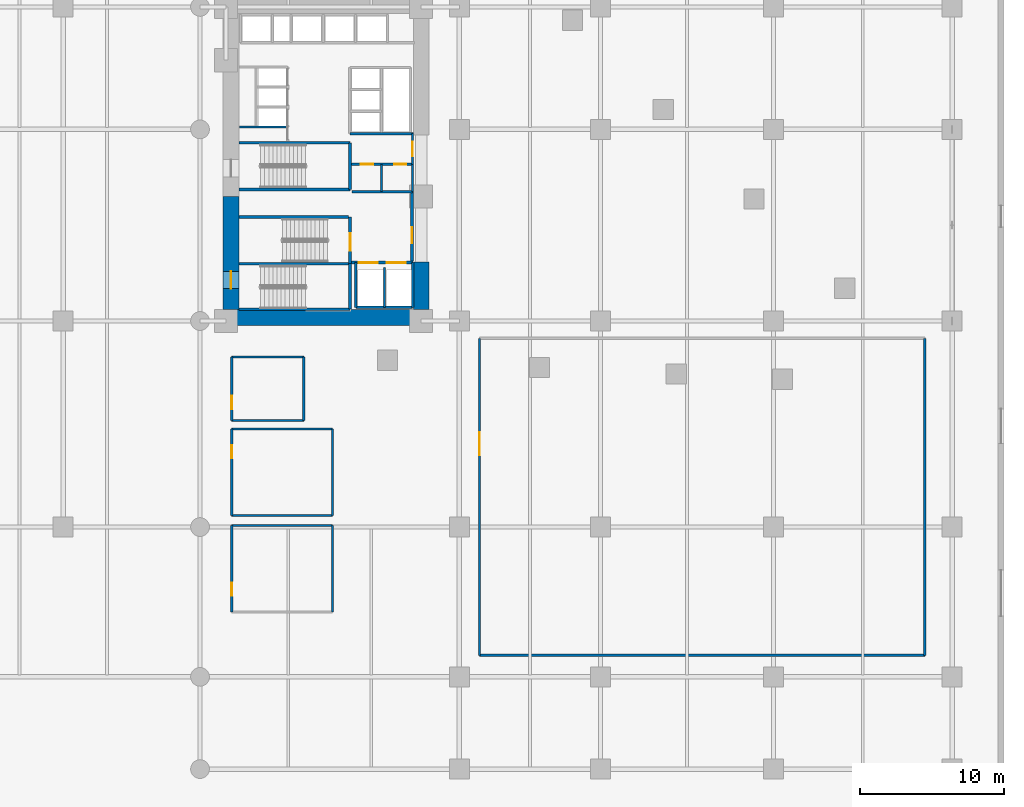
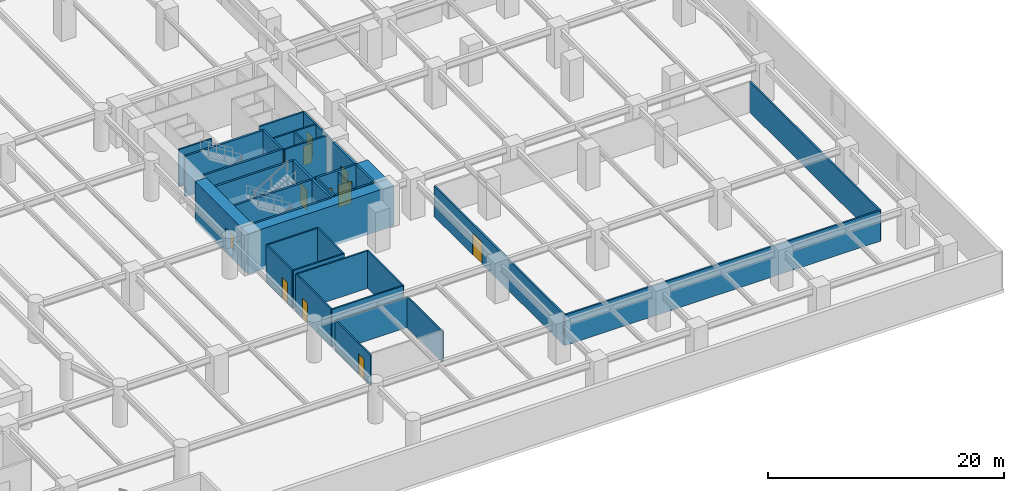
# One storey, part 8 of 25: 38 walls, 12 doors, 12 openings.
"""IFC4 building model written with IfcOpenShell, lengths in metres."""

from ifc_helpers import new_model, si_unit, direction, frame, frame_2d, origin, place, context, subcontext, project, spatial, rectangle, extrude, material, layer, layer_set, type_object, element, fill, save


model = new_model("IFC4")

# Units and contexts
model_context = context("Model", 3, precision=1e-05, world=origin(), true_north=direction((0.0, 1.0)))
body_context = subcontext(model_context, "Body", "Model", "MODEL_VIEW")
ifc_project = project(units=[si_unit("LENGTHUNIT", "METRE"), si_unit("AREAUNIT", "SQUARE_METRE"), si_unit("VOLUMEUNIT", "CUBIC_METRE"), si_unit("PLANEANGLEUNIT", "RADIAN"), si_unit("MASSUNIT", "GRAM", prefix="KILO")], contexts=[model_context])

# Site, building, storey
site_placement = place(None, origin())
site = spatial("IfcSite", under=ifc_project, at=site_placement, CompositionType="ELEMENT")
building_placement = place(site_placement, origin())
building = spatial("IfcBuilding", under=site, at=building_placement, Name="Narakoshi Arena Tower", CompositionType="ELEMENT")
storey_placement = place(building_placement, frame((0.0, 0.0, 9.0)))
storey = spatial("IfcBuildingStorey", under=building, at=storey_placement, Name="L02", CompositionType="ELEMENT", Elevation=9.0)

# Wall, opening, door
ifc_material_1 = material(Name="Concrete C60/75", Category="concrete")
ifc_layer_1 = layer(ifc_material_1, 1.10009765625)
ifc_layer_set_1 = layer_set([ifc_layer_1], Name="Concrete C60/75")
wall_type_1 = type_object("IfcWallType", Name="WL-CORE-1100", PredefinedType="SHEAR", material=ifc_layer_set_1)
wall_1_placement = place(storey_placement, frame((72.35009765625, 35.5, -0.320068359375), z_axis=(0.0, 0.0, 1.0), x_axis=(0.0, 1.0, 0.0)))
wall_1 = element("IfcWall", 1, at=wall_1_placement, inside=storey, type_object=wall_type_1, Name="L02 Central Core Shear Wall CW-APX-W", PredefinedType="SHEAR", context=body_context, shape_type="SweptSolid", body=[
    extrude(rectangle(XDim=7.85009765625, YDim=1.10009765625, at=frame_2d((3.925048828125, 0.0))), origin(), (0.0, 0.0, 1.0), 4.199951171875),
])
opening_1_placement = place(wall_1_placement, frame((1.449951171875, 0.0, 0.320068359375)))
opening_1 = element("IfcOpeningElement", 2, at=opening_1_placement, cuts=wall_1, Name="Opening D-03", PredefinedType="OPENING", context=body_context, shape_type="SweptSolid", body=[
    extrude(rectangle(XDim=1.199951171875, YDim=2.199951171875, at=frame_2d((0.60009765625, 1.10009765625))), frame((0.0, 0.56005859375, 0.0), z_axis=(0.0, -1.0, 0.0), x_axis=(1.0, 0.0, 0.0)), (0.0, 0.0, 1.0), 1.1201171875),
])
ifc_material_2 = material(Name="Painted galvanized steel", Category="steel")
door_type_1 = type_object("IfcDoorType", Name="DR-STR-1200", OperationType="NOTDEFINED", PredefinedType="USERDEFINED", material=ifc_material_2)
door_1_placement = place(opening_1_placement, frame((1.199951171875, 0.0, 0.0), z_axis=(0.0, 0.0, 1.0), x_axis=(-1.0, 0.0, 0.0)))
door_1 = element("IfcDoor", 3, at=door_1_placement, inside=storey, type_object=door_type_1, Name="DR-L02-001", ObjectType="EXITDOOR", OperationType="SINGLE_SWING_LEFT", OverallHeight=2.199951171875, OverallWidth=1.199951171875, PredefinedType="USERDEFINED", context=body_context, shape_type="SweptSolid", body=[
    extrude(rectangle(XDim=1.199951171875, YDim=2.199951171875, at=frame_2d((0.60009765625, 1.10009765625))), frame((0.0, 0.02490234375, 0.0), z_axis=(0.0, -1.0, 0.0), x_axis=(1.0, 0.0, 0.0)), (0.0, 0.0, 1.0), 0.050048828125),
])
fill(opening_1, door_1)

# Walls
wall_2_placement = place(storey_placement, frame((71.800048828125, 34.949951171875, -0.320068359375), z_axis=(0.0, 0.0, 1.0), x_axis=(1.0, 0.0, 0.0)))
element("IfcWall", 4, at=wall_2_placement, inside=storey, type_object=wall_type_1, Name="L02 Central Core Shear Wall CW-APX-S", PredefinedType="SHEAR", context=body_context, shape_type="SweptSolid", body=[
    extrude(rectangle(XDim=14.300048828125, YDim=1.10009765625, at=frame_2d((7.14990234375, 0.0))), origin(), (0.0, 0.0, 1.0), 4.199951171875),
])
wall_3_placement = place(storey_placement, frame((85.550048828125, 35.5, -0.320068359375), z_axis=(0.0, 0.0, 1.0), x_axis=(0.0, 1.0, 0.0)))
element("IfcWall", 5, at=wall_3_placement, inside=storey, type_object=wall_type_1, Name="L02 Central Core Shear Wall CW-APX-E", PredefinedType="SHEAR", context=body_context, shape_type="SweptSolid", body=[
    extrude(rectangle(XDim=3.300048828125, YDim=1.10009765625, at=frame_2d((1.64990234375, 0.0))), origin(), (0.0, 0.0, 1.0), 4.199951171875),
])

# Wall, opening, door
ifc_material_3 = material(Name="Gypsum plasterboard fire-rated partition")
ifc_layer_2 = layer(ifc_material_3, 0.1650390625)
ifc_layer_set_2 = layer_set([ifc_layer_2], Name="Gypsum plasterboard fire-rated partition")
wall_type_2 = type_object("IfcWallType", Name="WL-CORR-165", PredefinedType="PARTITIONING", material=ifc_layer_set_2)
wall_4_placement = place(storey_placement, frame((84.949951171875, 45.580078125, 0.0), z_axis=(0.0, 0.0, 1.0), x_axis=(0.0, 1.0, 0.0)))
wall_4 = element("IfcWall", 6, at=wall_4_placement, inside=storey, type_object=wall_type_2, Name="L02 Core Wall CPAS-E", PredefinedType="PARTITIONING", context=body_context, shape_type="SweptSolid", body=[
    extrude(rectangle(XDim=2.119873046875, YDim=0.1650390625, at=frame_2d((1.06005859375, 0.0))), origin(), (0.0, 0.0, 1.0), 3.8798828125),
])
opening_2_placement = place(wall_4_placement, frame((0.56005859375, 0.0, 0.0)))
opening_2 = element("IfcOpeningElement", 7, at=opening_2_placement, cuts=wall_4, Name="Opening D-06", PredefinedType="OPENING", context=body_context, shape_type="SweptSolid", body=[
    extrude(rectangle(XDim=1.0, YDim=2.199951171875, at=frame_2d((0.5, 1.10009765625))), frame((0.0, 0.092529296875, 0.0), z_axis=(0.0, -1.0, 0.0), x_axis=(1.0, 0.0, 0.0)), (0.0, 0.0, 1.0), 0.18505859375),
])
ifc_material_4 = material(Name="Stained oak solid-core timber", Category="wood")
door_type_2 = type_object("IfcDoorType", Name="DR-OFF-1000", OperationType="NOTDEFINED", PredefinedType="DOOR", material=ifc_material_4)
door_2_placement = place(opening_2_placement, frame((1.0, 0.0, 0.0), z_axis=(0.0, 0.0, 1.0), x_axis=(-1.0, 0.0, 0.0)))
door_2 = element("IfcDoor", 8, at=door_2_placement, inside=storey, type_object=door_type_2, Name="DR-L02-007", OperationType="SINGLE_SWING_LEFT", OverallHeight=2.199951171875, OverallWidth=1.0, PredefinedType="DOOR", context=body_context, shape_type="SweptSolid", body=[
    extrude(rectangle(XDim=1.0, YDim=2.199951171875, at=frame_2d((0.5, 1.10009765625))), frame((0.0, 0.02490234375, 0.0), z_axis=(0.0, -1.0, 0.0), x_axis=(1.0, 0.0, 0.0)), (0.0, 0.0, 1.0), 0.050048828125),
])
fill(opening_2, door_2)

# Walls
wall_5_placement = place(storey_placement, frame((89.60009765625, 11.5, 0.0), z_axis=(0.0, 0.0, 1.0), x_axis=(1.0, 0.0, 0.0)))
element("IfcWall", 9, at=wall_5_placement, inside=storey, type_object=wall_type_2, Name="L02 Sponsors Banquet Dining Hall Wall S", PredefinedType="PARTITIONING", context=body_context, shape_type="SweptSolid", body=[
    extrude(rectangle(XDim=30.89990234375, YDim=0.1650390625, at=frame_2d((15.449951171875, 0.0))), origin(), (0.0, 0.0, 1.0), 3.1650390625),
])
wall_6_placement = place(storey_placement, frame((120.5, 11.5, 0.0), z_axis=(0.0, 0.0, 1.0), x_axis=(0.0, 1.0, 0.0)))
element("IfcWall", 10, at=wall_6_placement, inside=storey, type_object=wall_type_2, Name="L02 Sponsors Banquet Dining Hall Wall E", PredefinedType="PARTITIONING", context=body_context, shape_type="SweptSolid", body=[
    extrude(rectangle(XDim=22.0, YDim=0.1650390625, at=frame_2d((11.0, 0.0))), origin(), (0.0, 0.0, 1.0), 3.1650390625),
])

# Wall, opening, door
wall_7_placement = place(storey_placement, frame((89.60009765625, 33.5, 0.0), z_axis=(0.0, 0.0, 1.0), x_axis=(0.0, -1.0, 0.0)))
wall_7 = element("IfcWall", 11, at=wall_7_placement, inside=storey, type_object=wall_type_2, Name="L02 Sponsors Banquet Dining Hall Wall W", PredefinedType="PARTITIONING", context=body_context, shape_type="SweptSolid", body=[
    extrude(rectangle(XDim=22.0, YDim=0.1650390625, at=frame_2d((11.0, 0.0))), origin(), (0.0, 0.0, 1.0), 3.1650390625),
])
opening_3_placement = place(wall_7_placement, frame((6.528076171875, 0.0, 0.0)))
opening_3 = element("IfcOpeningElement", 12, at=opening_3_placement, cuts=wall_7, Name="Opening D-05", PredefinedType="OPENING", context=body_context, shape_type="SweptSolid", body=[
    extrude(rectangle(XDim=1.60009765625, YDim=2.300048828125, at=frame_2d((0.800048828125, 1.14990234375))), frame((0.0, 0.092529296875, 0.0), z_axis=(0.0, -1.0, 0.0), x_axis=(1.0, 0.0, 0.0)), (0.0, 0.0, 1.0), 0.18505859375),
])
door_type_3 = type_object("IfcDoorType", Name="DR-STE-1600", OperationType="DOUBLE_DOOR_SINGLE_SWING", PredefinedType="DOOR", material=ifc_material_4)
door_3_placement = place(opening_3_placement, frame((1.60009765625, 0.0, 0.0), z_axis=(0.0, 0.0, 1.0), x_axis=(-1.0, 0.0, 0.0)))
door_3 = element("IfcDoor", 13, at=door_3_placement, inside=storey, type_object=door_type_3, Name="DR-L02-028", OperationType="DOUBLE_DOOR_SINGLE_SWING", OverallHeight=2.300048828125, OverallWidth=1.60009765625, PredefinedType="DOOR", context=body_context, shape_type="SweptSolid", body=[
    extrude(rectangle(XDim=1.60009765625, YDim=2.300048828125, at=frame_2d((0.800048828125, 1.14990234375))), frame((0.0, 0.02490234375, 0.0), z_axis=(0.0, -1.0, 0.0), x_axis=(1.0, 0.0, 0.0)), (0.0, 0.0, 1.0), 0.050048828125),
])
fill(opening_3, door_3)

# Walls
ifc_material_5 = material(Name="Concrete C40/50", Category="concrete")
ifc_layer_3 = layer(ifc_material_5, 0.280029296875)
ifc_layer_set_3 = layer_set([ifc_layer_3], Name="Concrete C40/50")
wall_type_3 = type_object("IfcWallType", Name="WL-RISER-280", PredefinedType="PLUMBINGWALL", material=ifc_layer_set_3)
wall_8_placement = place(storey_placement, frame((83.0, 35.64990234375, 0.0), z_axis=(0.0, 0.0, 1.0), x_axis=(0.0, 1.0, 0.0)))
element("IfcWall", 14, at=wall_8_placement, inside=storey, type_object=wall_type_3, Name="L02 Core Wall FF-DIV", PredefinedType="PLUMBINGWALL", context=body_context, shape_type="SweptSolid", body=[
    extrude(rectangle(XDim=2.75, YDim=0.159912109375, at=frame_2d((1.375, 0.0))), origin(), (0.0, 0.0, 1.0), 3.8798828125),
])
wall_9_placement = place(storey_placement, frame((84.949951171875, 43.679931640625, 0.0), z_axis=(0.0, 0.0, 1.0), x_axis=(0.0, 1.0, 0.0)))
element("IfcWall", 15, at=wall_9_placement, inside=storey, type_object=wall_type_3, Name="L02 Core Wall RSR-E", PredefinedType="PLUMBINGWALL", context=body_context, shape_type="SweptSolid", body=[
    extrude(rectangle(XDim=1.900146484375, YDim=0.1650390625, at=frame_2d((0.9501953125, 0.0))), origin(), (0.0, 0.0, 1.0), 3.8798828125),
])

# Wall, openings, doors
wall_10_placement = place(storey_placement, frame((80.719970703125, 45.580078125, 0.0), z_axis=(0.0, 0.0, 1.0), x_axis=(1.0, 0.0, 0.0)))
wall_10 = element("IfcWall", 16, at=wall_10_placement, inside=storey, type_object=wall_type_3, Name="L02 Core Wall RSR-N", PredefinedType="PLUMBINGWALL", context=body_context, shape_type="SweptSolid", body=[
    extrude(rectangle(XDim=4.22998046875, YDim=0.159912109375, at=frame_2d((2.114990234375, 0.0))), origin(), (0.0, 0.0, 1.0), 3.8798828125),
])
opening_4_placement = place(wall_10_placement, frame((0.64990234375, 0.0, 0.0)))
opening_4 = element("IfcOpeningElement", 17, at=opening_4_placement, cuts=wall_10, Name="Opening D-10", PredefinedType="OPENING", context=body_context, shape_type="SweptSolid", body=[
    extrude(rectangle(XDim=0.85009765625, YDim=2.050048828125, at=frame_2d((0.425048828125, 1.02490234375))), frame((0.0, 0.08984375, 0.0), z_axis=(0.0, -1.0, 0.0), x_axis=(1.0, 0.0, 0.0)), (0.0, 0.0, 1.0), 0.179931640625),
])
opening_5_placement = place(wall_10_placement, frame((2.949951171875, 0.0, 0.0)))
opening_5 = element("IfcOpeningElement", 18, at=opening_5_placement, cuts=wall_10, Name="Opening D-10", PredefinedType="OPENING", context=body_context, shape_type="SweptSolid", body=[
    extrude(rectangle(XDim=0.85009765625, YDim=2.050048828125, at=frame_2d((0.425048828125, 1.02490234375))), frame((0.0, 0.08984375, 0.0), z_axis=(0.0, -1.0, 0.0), x_axis=(1.0, 0.0, 0.0)), (0.0, 0.0, 1.0), 0.179931640625),
])
door_type_4 = type_object("IfcDoorType", Name="DR-RSR-850", OperationType="NOTDEFINED", PredefinedType="DOOR", material=ifc_material_2)
door_4_placement = place(opening_4_placement, frame((0.85009765625, 0.0, 0.0), z_axis=(0.0, 0.0, 1.0), x_axis=(-1.0, 0.0, 0.0)))
door_4 = element("IfcDoor", 19, at=door_4_placement, inside=storey, type_object=door_type_4, Name="DR-L02-008", OperationType="SINGLE_SWING_LEFT", OverallHeight=2.050048828125, OverallWidth=0.85009765625, PredefinedType="DOOR", context=body_context, shape_type="SweptSolid", body=[
    extrude(rectangle(XDim=0.85009765625, YDim=2.050048828125, at=frame_2d((0.425048828125, 1.02490234375))), frame((0.0, 0.02490234375, 0.0), z_axis=(0.0, -1.0, 0.0), x_axis=(1.0, 0.0, 0.0)), (0.0, 0.0, 1.0), 0.050048828125),
])
fill(opening_4, door_4)
door_5_placement = place(opening_5_placement, frame((0.85009765625, 0.0, 0.0), z_axis=(0.0, 0.0, 1.0), x_axis=(-1.0, 0.0, 0.0)))
door_5 = element("IfcDoor", 20, at=door_5_placement, inside=storey, type_object=door_type_4, Name="DR-L02-009", OperationType="SINGLE_SWING_RIGHT", OverallHeight=2.050048828125, OverallWidth=0.85009765625, PredefinedType="DOOR", context=body_context, shape_type="SweptSolid", body=[
    extrude(rectangle(XDim=0.85009765625, YDim=2.050048828125, at=frame_2d((0.425048828125, 1.02490234375))), frame((0.0, 0.02490234375, 0.0), z_axis=(0.0, -1.0, 0.0), x_axis=(1.0, 0.0, 0.0)), (0.0, 0.0, 1.0), 0.050048828125),
])
fill(opening_5, door_5)

# Walls
wall_11_placement = place(storey_placement, frame((80.760009765625, 43.679931640625, 0.0), z_axis=(0.0, 0.0, 1.0), x_axis=(1.0, 0.0, 0.0)))
element("IfcWall", 21, at=wall_11_placement, inside=storey, type_object=wall_type_3, Name="L02 Core Wall RSR-S", PredefinedType="PLUMBINGWALL", context=body_context, shape_type="SweptSolid", body=[
    extrude(rectangle(XDim=4.18994140625, YDim=0.159912109375, at=frame_2d((2.094970703125, 0.0))), origin(), (0.0, 0.0, 1.0), 3.8798828125),
])
wall_12_placement = place(storey_placement, frame((82.800048828125, 43.679931640625, 0.0), z_axis=(0.0, 0.0, 1.0), x_axis=(0.0, 1.0, 0.0)))
element("IfcWall", 22, at=wall_12_placement, inside=storey, type_object=wall_type_3, Name="L02 Core Wall RSR-M", PredefinedType="PLUMBINGWALL", context=body_context, shape_type="SweptSolid", body=[
    extrude(rectangle(XDim=1.900146484375, YDim=0.159912109375, at=frame_2d((0.9501953125, 0.0))), origin(), (0.0, 0.0, 1.0), 3.8798828125),
])
wall_13_placement = place(storey_placement, frame((72.949951171875, 48.159912109375, 0.0), z_axis=(0.0, 0.0, 1.0), x_axis=(1.0, 0.0, 0.0)))
element("IfcWall", 23, at=wall_13_placement, inside=storey, type_object=wall_type_3, Name="L02 Core Wall LR-S0", PredefinedType="PLUMBINGWALL", context=body_context, shape_type="SweptSolid", body=[
    extrude(rectangle(XDim=3.239990234375, YDim=0.139892578125, at=frame_2d((1.6201171875, 0.0))), origin(), (0.0, 0.0, 1.0), 3.8798828125),
])
ifc_material_6 = material(Name="Concrete C50/60", Category="concrete")
ifc_layer_4 = layer(ifc_material_6, 0.35009765625)
ifc_layer_set_4 = layer_set([ifc_layer_4], Name="Concrete C50/60")
wall_type_4 = type_object("IfcWallType", Name="WL-SHAFT-350", PredefinedType="SOLIDWALL", material=ifc_layer_set_4)
for number, where, z_axis, x_axis, name in (
    (24, (72.919921875, 35.52001953125, -0.320068359375), (0.0, 0.0, 1.0), (1.0, 0.0, 0.0), "L02 Core Wall ST1-S"),
    (25, (72.919921875, 38.675048828125, -0.320068359375), (0.0, 0.0, 1.0), (1.0, 0.0, 0.0), "L02 Core Wall ST12-DIV"),
):
    element("IfcWall", number, at=place(storey_placement, frame(where, z_axis=z_axis, x_axis=x_axis)), inside=storey, type_object=wall_type_4, Name=name, PredefinedType="SOLIDWALL", context=body_context, shape_type="SweptSolid", body=[
        extrude(rectangle(XDim=7.7001953125, YDim=0.199951171875, at=frame_2d((3.85009765625, 0.0))), origin(), (0.0, 0.0, 1.0), 4.199951171875),
    ])
wall_14_placement = place(storey_placement, frame((80.6201171875, 35.52001953125, -0.320068359375), z_axis=(0.0, 0.0, 1.0), x_axis=(0.0, 1.0, 0.0)))
element("IfcWall", 26, at=wall_14_placement, inside=storey, type_object=wall_type_4, Name="L02 Core Wall ST1-E", PredefinedType="SOLIDWALL", context=body_context, shape_type="SweptSolid", body=[
    extrude(rectangle(XDim=3.155029296875, YDim=0.199951171875, at=frame_2d((1.57763671875, 0.0))), origin(), (0.0, 0.0, 1.0), 4.199951171875),
])

# Wall, opening, door
wall_15_placement = place(storey_placement, frame((80.6201171875, 38.675048828125, -0.320068359375), z_axis=(0.0, 0.0, 1.0), x_axis=(0.0, 1.0, 0.0)))
wall_15 = element("IfcWall", 27, at=wall_15_placement, inside=storey, type_object=wall_type_4, Name="L02 Core Wall ST2-E", PredefinedType="SOLIDWALL", context=body_context, shape_type="SweptSolid", body=[
    extrude(rectangle(XDim=3.244873046875, YDim=0.199951171875, at=frame_2d((1.62255859375, 0.0))), origin(), (0.0, 0.0, 1.0), 4.199951171875),
])
opening_6_placement = place(wall_15_placement, frame((0.89990234375, 0.0, 0.320068359375)))
opening_6 = element("IfcOpeningElement", 28, at=opening_6_placement, cuts=wall_15, Name="Opening D-03", PredefinedType="OPENING", context=body_context, shape_type="SweptSolid", body=[
    extrude(rectangle(XDim=1.199951171875, YDim=2.199951171875, at=frame_2d((0.60009765625, 1.10009765625))), frame((0.0, 0.10986328125, 0.0), z_axis=(0.0, -1.0, 0.0), x_axis=(1.0, 0.0, 0.0)), (0.0, 0.0, 1.0), 0.219970703125),
])
door_6_placement = place(opening_6_placement, origin())
door_6 = element("IfcDoor", 29, at=door_6_placement, inside=storey, type_object=door_type_1, Name="DR-L02-002", ObjectType="EXITDOOR", OperationType="SINGLE_SWING_RIGHT", OverallHeight=2.199951171875, OverallWidth=1.199951171875, PredefinedType="USERDEFINED", context=body_context, shape_type="SweptSolid", body=[
    extrude(rectangle(XDim=1.199951171875, YDim=2.199951171875, at=frame_2d((0.60009765625, 1.10009765625))), frame((0.0, 0.02490234375, 0.0), z_axis=(0.0, -1.0, 0.0), x_axis=(1.0, 0.0, 0.0)), (0.0, 0.0, 1.0), 0.050048828125),
])
fill(opening_6, door_6)

# Wall, openings, doors
wall_16_placement = place(storey_placement, frame((80.719970703125, 38.75, 0.0), z_axis=(0.0, 0.0, 1.0), x_axis=(1.0, 0.0, 0.0)))
wall_16 = element("IfcWall", 30, at=wall_16_placement, inside=storey, type_object=wall_type_4, Name="L02 Core Wall FF-N", PredefinedType="SOLIDWALL", context=body_context, shape_type="SweptSolid", body=[
    extrude(rectangle(XDim=4.260009765625, YDim=0.199951171875, at=frame_2d((2.1298828125, 0.0))), origin(), (0.0, 0.0, 1.0), 3.8798828125),
])
opening_7_placement = place(wall_16_placement, frame((0.5, 0.0, 0.0)))
opening_7 = element("IfcOpeningElement", 31, at=opening_7_placement, cuts=wall_16, Name="Opening LD-02", PredefinedType="OPENING", context=body_context, shape_type="SweptSolid", body=[
    extrude(rectangle(XDim=1.300048828125, YDim=2.300048828125, at=frame_2d((0.64990234375, 1.14990234375))), frame((0.0, 0.10986328125, 0.0), z_axis=(0.0, -1.0, 0.0), x_axis=(1.0, 0.0, 0.0)), (0.0, 0.0, 1.0), 0.219970703125),
])
opening_8_placement = place(wall_16_placement, frame((2.449951171875, 0.0, 0.0)))
opening_8 = element("IfcOpeningElement", 32, at=opening_8_placement, cuts=wall_16, Name="Opening LD-02", PredefinedType="OPENING", context=body_context, shape_type="SweptSolid", body=[
    extrude(rectangle(XDim=1.300048828125, YDim=2.300048828125, at=frame_2d((0.64990234375, 1.14990234375))), frame((0.0, 0.10986328125, 0.0), z_axis=(0.0, -1.0, 0.0), x_axis=(1.0, 0.0, 0.0)), (0.0, 0.0, 1.0), 0.219970703125),
])
ifc_material_7 = material(Name="Brushed bronze stainless steel", Category="steel")
door_type_5 = type_object("IfcDoorType", Name="DR-LFT-1300", OperationType="DOUBLE_DOOR_SLIDING", PredefinedType="DOOR", material=ifc_material_7)
door_7_placement = place(opening_7_placement, origin())
door_7 = element("IfcDoor", 33, at=door_7_placement, inside=storey, type_object=door_type_5, Name="DR-L02-003", OperationType="DOUBLE_DOOR_SLIDING", OverallHeight=2.300048828125, OverallWidth=1.300048828125, PredefinedType="DOOR", context=body_context, shape_type="SweptSolid", body=[
    extrude(rectangle(XDim=1.300048828125, YDim=2.300048828125, at=frame_2d((0.64990234375, 1.14990234375))), frame((0.0, 0.02490234375, 0.0), z_axis=(0.0, -1.0, 0.0), x_axis=(1.0, 0.0, 0.0)), (0.0, 0.0, 1.0), 0.050048828125),
])
fill(opening_7, door_7)
door_8_placement = place(opening_8_placement, origin())
door_8 = element("IfcDoor", 34, at=door_8_placement, inside=storey, type_object=door_type_5, Name="DR-L02-004", OperationType="DOUBLE_DOOR_SLIDING", OverallHeight=2.300048828125, OverallWidth=1.300048828125, PredefinedType="DOOR", context=body_context, shape_type="SweptSolid", body=[
    extrude(rectangle(XDim=1.300048828125, YDim=2.300048828125, at=frame_2d((0.64990234375, 1.14990234375))), frame((0.0, 0.02490234375, 0.0), z_axis=(0.0, -1.0, 0.0), x_axis=(1.0, 0.0, 0.0)), (0.0, 0.0, 1.0), 0.050048828125),
])
fill(opening_8, door_8)

# Walls
for number, where, z_axis, x_axis, name in (
    (35, (84.949951171875, 35.64990234375, 0.0), (0.0, 0.0, 1.0), (0.0, 1.0, 0.0), "L02 Core Wall FF-E"),
    (36, (81.02001953125, 35.64990234375, 0.0), (0.0, 0.0, 1.0), (0.0, 1.0, 0.0), "L02 Core Wall FF-W"),
):
    element("IfcWall", number, at=place(storey_placement, frame(where, z_axis=z_axis, x_axis=x_axis)), inside=storey, type_object=wall_type_4, Name=name, PredefinedType="SOLIDWALL", context=body_context, shape_type="SweptSolid", body=[
        extrude(rectangle(XDim=3.10009765625, YDim=0.179931640625, at=frame_2d((1.550048828125, 0.0))), origin(), (0.0, 0.0, 1.0), 3.8798828125),
    ])
wall_17_placement = place(storey_placement, frame((81.02001953125, 35.64990234375, 0.0), z_axis=(0.0, 0.0, 1.0), x_axis=(1.0, 0.0, 0.0)))
element("IfcWall", 37, at=wall_17_placement, inside=storey, type_object=wall_type_4, Name="L02 Core Wall FF-S", PredefinedType="SOLIDWALL", context=body_context, shape_type="SweptSolid", body=[
    extrude(rectangle(XDim=3.929931640625, YDim=0.179931640625, at=frame_2d((1.96484375, 0.0))), origin(), (0.0, 0.0, 1.0), 3.8798828125),
])

# Wall, opening, door
wall_18_placement = place(storey_placement, frame((84.919921875, 38.85009765625, 0.0), z_axis=(0.0, 0.0, 1.0), x_axis=(0.0, 1.0, 0.0)))
wall_18 = element("IfcWall", 38, at=wall_18_placement, inside=storey, type_object=wall_type_4, Name="L02 Core Wall FFLOB-E", PredefinedType="SOLIDWALL", context=body_context, shape_type="SweptSolid", body=[
    extrude(rectangle(XDim=4.829833984375, YDim=0.199951171875, at=frame_2d((2.4150390625, 0.0))), origin(), (0.0, 0.0, 1.0), 3.8798828125),
])
opening_9_placement = place(wall_18_placement, frame((1.25, 0.0, 0.0)))
opening_9 = element("IfcOpeningElement", 39, at=opening_9_placement, cuts=wall_18, Name="Opening D-04", PredefinedType="OPENING", context=body_context, shape_type="SweptSolid", body=[
    extrude(rectangle(XDim=1.10009765625, YDim=2.199951171875, at=frame_2d((0.550048828125, 1.10009765625))), frame((0.0, 0.10986328125, 0.0), z_axis=(0.0, -1.0, 0.0), x_axis=(1.0, 0.0, 0.0)), (0.0, 0.0, 1.0), 0.219970703125),
])
door_type_6 = type_object("IfcDoorType", Name="DR-FFL-1100", OperationType="NOTDEFINED", PredefinedType="DOOR", material=ifc_material_2)
door_9_placement = place(opening_9_placement, frame((1.10009765625, 0.0, 0.0), z_axis=(0.0, 0.0, 1.0), x_axis=(-1.0, 0.0, 0.0)))
door_9 = element("IfcDoor", 40, at=door_9_placement, inside=storey, type_object=door_type_6, Name="DR-L02-005", OperationType="SINGLE_SWING_RIGHT", OverallHeight=2.199951171875, OverallWidth=1.10009765625, PredefinedType="DOOR", context=body_context, shape_type="SweptSolid", body=[
    extrude(rectangle(XDim=1.10009765625, YDim=2.199951171875, at=frame_2d((0.550048828125, 1.10009765625))), frame((0.0, 0.02490234375, 0.0), z_axis=(0.0, -1.0, 0.0), x_axis=(1.0, 0.0, 0.0)), (0.0, 0.0, 1.0), 0.050048828125),
])
fill(opening_9, door_9)

# Walls
wall_19_placement = place(storey_placement, frame((72.919921875, 41.919921875, -0.320068359375), z_axis=(0.0, 0.0, 1.0), x_axis=(1.0, 0.0, 0.0)))
element("IfcWall", 41, at=wall_19_placement, inside=storey, type_object=wall_type_4, Name="L02 Core Wall ST2-N", PredefinedType="SOLIDWALL", context=body_context, shape_type="SweptSolid", body=[
    extrude(rectangle(XDim=7.580078125, YDim=0.199951171875, at=frame_2d((3.7900390625, 0.0))), origin(), (0.0, 0.0, 1.0), 4.199951171875),
])
for number, where, z_axis, x_axis, name in (
    (42, (72.919921875, 43.830078125, -0.320068359375), (0.0, 0.0, 1.0), (1.0, 0.0, 0.0), "L02 Core Wall ST3-S"),
    (43, (72.919921875, 47.070068359375, -0.320068359375), (0.0, 0.0, 1.0), (1.0, 0.0, 0.0), "L02 Core Wall ST3-N"),
):
    element("IfcWall", number, at=place(storey_placement, frame(where, z_axis=z_axis, x_axis=x_axis)), inside=storey, type_object=wall_type_4, Name=name, PredefinedType="SOLIDWALL", context=body_context, shape_type="SweptSolid", body=[
        extrude(rectangle(XDim=7.7001953125, YDim=0.199951171875, at=frame_2d((3.85009765625, 0.0))), origin(), (0.0, 0.0, 1.0), 4.199951171875),
    ])
wall_20_placement = place(storey_placement, frame((80.6201171875, 43.830078125, -0.320068359375), z_axis=(0.0, 0.0, 1.0), x_axis=(0.0, 1.0, 0.0)))
element("IfcWall", 44, at=wall_20_placement, inside=storey, type_object=wall_type_4, Name="L02 Core Wall ST3-E", PredefinedType="SOLIDWALL", context=body_context, shape_type="SweptSolid", body=[
    extrude(rectangle(XDim=3.239990234375, YDim=0.199951171875, at=frame_2d((1.6201171875, 0.0))), origin(), (0.0, 0.0, 1.0), 4.199951171875),
])
wall_21_placement = place(storey_placement, frame((80.60009765625, 47.699951171875, 0.0), z_axis=(0.0, 0.0, 1.0), x_axis=(1.0, 0.0, 0.0)))
element("IfcWall", 45, at=wall_21_placement, inside=storey, type_object=wall_type_4, Name="L02 Core Wall MR-S", PredefinedType="SOLIDWALL", context=body_context, shape_type="SweptSolid", body=[
    extrude(rectangle(XDim=4.39990234375, YDim=0.159912109375, at=frame_2d((2.199951171875, 0.0))), origin(), (0.0, 0.0, 1.0), 3.8798828125),
])
ifc_material_8 = material(Name="Moisture-resistant cement-board partition")
ifc_layer_5 = layer(ifc_material_8, 0.14501953125)
ifc_layer_set_5 = layer_set([ifc_layer_5], Name="Moisture-resistant cement-board partition")
wall_type_5 = type_object("IfcWallType", Name="WL-WET-145", PredefinedType="PARTITIONING", material=ifc_layer_set_5)
wall_22_placement = place(storey_placement, frame((79.39990234375, 14.5, 0.0), z_axis=(0.0, 0.0, 1.0), x_axis=(0.0, 1.0, 0.0)))
element("IfcWall", 46, at=wall_22_placement, inside=storey, type_object=wall_type_5, Name="L02 Spectator Male Restroom WC Wall E", PredefinedType="PARTITIONING", context=body_context, shape_type="SweptSolid", body=[
    extrude(rectangle(XDim=6.0, YDim=0.14501953125, at=frame_2d((3.0, 0.0))), origin(), (0.0, 0.0, 1.0), 3.1650390625),
])
wall_23_placement = place(storey_placement, frame((79.39990234375, 20.5, 0.0), z_axis=(0.0, 0.0, 1.0), x_axis=(-1.0, 0.0, 0.0)))
element("IfcWall", 47, at=wall_23_placement, inside=storey, type_object=wall_type_5, Name="L02 Spectator Male Restroom WC Wall N", PredefinedType="PARTITIONING", context=body_context, shape_type="SweptSolid", body=[
    extrude(rectangle(XDim=7.0, YDim=0.14501953125, at=frame_2d((3.5, 0.0))), origin(), (0.0, 0.0, 1.0), 3.1650390625),
])

# Wall, opening, door
wall_24_placement = place(storey_placement, frame((72.39990234375, 20.5, 0.0), z_axis=(0.0, 0.0, 1.0), x_axis=(0.0, -1.0, 0.0)))
wall_24 = element("IfcWall", 48, at=wall_24_placement, inside=storey, type_object=wall_type_5, Name="L02 Spectator Male Restroom WC Wall W", PredefinedType="PARTITIONING", context=body_context, shape_type="SweptSolid", body=[
    extrude(rectangle(XDim=6.0, YDim=0.14501953125, at=frame_2d((3.0, 0.0))), origin(), (0.0, 0.0, 1.0), 3.1650390625),
])
opening_10_placement = place(wall_24_placement, frame((3.97802734375, 0.0, 0.0)))
opening_10 = element("IfcOpeningElement", 49, at=opening_10_placement, cuts=wall_24, Name="Opening D-08", PredefinedType="OPENING", context=body_context, shape_type="SweptSolid", body=[
    extrude(rectangle(XDim=0.89990234375, YDim=2.10009765625, at=frame_2d((0.449951171875, 1.050048828125))), frame((0.0, 0.08251953125, 0.0), z_axis=(0.0, -1.0, 0.0), x_axis=(1.0, 0.0, 0.0)), (0.0, 0.0, 1.0), 0.1650390625),
])
ifc_material_9 = material(Name="Moisture-resistant laminate timber", Category="wood")
door_type_7 = type_object("IfcDoorType", Name="DR-WC-900", OperationType="NOTDEFINED", PredefinedType="DOOR", material=ifc_material_9)
door_10_placement = place(opening_10_placement, frame((0.89990234375, 0.0, 0.0), z_axis=(0.0, 0.0, 1.0), x_axis=(-1.0, 0.0, 0.0)))
door_10 = element("IfcDoor", 50, at=door_10_placement, inside=storey, type_object=door_type_7, Name="DR-L02-029", OperationType="SINGLE_SWING_LEFT", OverallHeight=2.10009765625, OverallWidth=0.89990234375, PredefinedType="DOOR", context=body_context, shape_type="SweptSolid", body=[
    extrude(rectangle(XDim=0.89990234375, YDim=2.10009765625, at=frame_2d((0.449951171875, 1.050048828125))), frame((0.0, 0.02490234375, 0.0), z_axis=(0.0, -1.0, 0.0), x_axis=(1.0, 0.0, 0.0)), (0.0, 0.0, 1.0), 0.050048828125),
])
fill(opening_10, door_10)

# Walls
wall_25_placement = place(storey_placement, frame((72.39990234375, 21.199951171875, 0.0), z_axis=(0.0, 0.0, 1.0), x_axis=(1.0, 0.0, 0.0)))
element("IfcWall", 51, at=wall_25_placement, inside=storey, type_object=wall_type_5, Name="L02 Spectator Female Restroom WC Wall S", PredefinedType="PARTITIONING", context=body_context, shape_type="SweptSolid", body=[
    extrude(rectangle(XDim=7.0, YDim=0.14501953125, at=frame_2d((3.5, 0.0))), origin(), (0.0, 0.0, 1.0), 3.8798828125),
])
wall_26_placement = place(storey_placement, frame((79.39990234375, 21.199951171875, 0.0), z_axis=(0.0, 0.0, 1.0), x_axis=(0.0, 1.0, 0.0)))
element("IfcWall", 52, at=wall_26_placement, inside=storey, type_object=wall_type_5, Name="L02 Spectator Female Restroom WC Wall E", PredefinedType="PARTITIONING", context=body_context, shape_type="SweptSolid", body=[
    extrude(rectangle(XDim=6.0, YDim=0.14501953125, at=frame_2d((3.0, 0.0))), origin(), (0.0, 0.0, 1.0), 3.8798828125),
])
wall_27_placement = place(storey_placement, frame((79.39990234375, 27.199951171875, 0.0), z_axis=(0.0, 0.0, 1.0), x_axis=(-1.0, 0.0, 0.0)))
element("IfcWall", 53, at=wall_27_placement, inside=storey, type_object=wall_type_5, Name="L02 Spectator Female Restroom WC Wall N", PredefinedType="PARTITIONING", context=body_context, shape_type="SweptSolid", body=[
    extrude(rectangle(XDim=7.0, YDim=0.14501953125, at=frame_2d((3.5, 0.0))), origin(), (0.0, 0.0, 1.0), 3.8798828125),
])

# Wall, opening, door
wall_28_placement = place(storey_placement, frame((72.39990234375, 27.199951171875, 0.0), z_axis=(0.0, 0.0, 1.0), x_axis=(0.0, -1.0, 0.0)))
wall_28 = element("IfcWall", 54, at=wall_28_placement, inside=storey, type_object=wall_type_5, Name="L02 Spectator Female Restroom WC Wall W", PredefinedType="PARTITIONING", context=body_context, shape_type="SweptSolid", body=[
    extrude(rectangle(XDim=6.0, YDim=0.14501953125, at=frame_2d((3.0, 0.0))), origin(), (0.0, 0.0, 1.0), 3.8798828125),
])
opening_11_placement = place(wall_28_placement, frame((1.1220703125, 0.0, 0.0)))
opening_11 = element("IfcOpeningElement", 55, at=opening_11_placement, cuts=wall_28, Name="Opening D-08", PredefinedType="OPENING", context=body_context, shape_type="SweptSolid", body=[
    extrude(rectangle(XDim=0.89990234375, YDim=2.10009765625, at=frame_2d((0.449951171875, 1.050048828125))), frame((0.0, 0.08251953125, 0.0), z_axis=(0.0, -1.0, 0.0), x_axis=(1.0, 0.0, 0.0)), (0.0, 0.0, 1.0), 0.1650390625),
])
door_11_placement = place(opening_11_placement, frame((0.89990234375, 0.0, 0.0), z_axis=(0.0, 0.0, 1.0), x_axis=(-1.0, 0.0, 0.0)))
door_11 = element("IfcDoor", 56, at=door_11_placement, inside=storey, type_object=door_type_7, Name="DR-L02-030", OperationType="SINGLE_SWING_RIGHT", OverallHeight=2.10009765625, OverallWidth=0.89990234375, PredefinedType="DOOR", context=body_context, shape_type="SweptSolid", body=[
    extrude(rectangle(XDim=0.89990234375, YDim=2.10009765625, at=frame_2d((0.449951171875, 1.050048828125))), frame((0.0, 0.02490234375, 0.0), z_axis=(0.0, -1.0, 0.0), x_axis=(1.0, 0.0, 0.0)), (0.0, 0.0, 1.0), 0.050048828125),
])
fill(opening_11, door_11)

# Walls
wall_29_placement = place(storey_placement, frame((72.39990234375, 27.800048828125, 0.0), z_axis=(0.0, 0.0, 1.0), x_axis=(1.0, 0.0, 0.0)))
element("IfcWall", 57, at=wall_29_placement, inside=storey, type_object=wall_type_5, Name="L02 Spectator Accessible Restroom WC Wall S", PredefinedType="PARTITIONING", context=body_context, shape_type="SweptSolid", body=[
    extrude(rectangle(XDim=5.0, YDim=0.14501953125, at=frame_2d((2.5, 0.0))), origin(), (0.0, 0.0, 1.0), 3.8798828125),
])
wall_30_placement = place(storey_placement, frame((77.39990234375, 27.800048828125, 0.0), z_axis=(0.0, 0.0, 1.0), x_axis=(0.0, 1.0, 0.0)))
element("IfcWall", 58, at=wall_30_placement, inside=storey, type_object=wall_type_5, Name="L02 Spectator Accessible Restroom WC Wall E", PredefinedType="PARTITIONING", context=body_context, shape_type="SweptSolid", body=[
    extrude(rectangle(XDim=4.39990234375, YDim=0.14501953125, at=frame_2d((2.199951171875, 0.0))), origin(), (0.0, 0.0, 1.0), 3.8798828125),
])
wall_31_placement = place(storey_placement, frame((77.39990234375, 32.199951171875, 0.0), z_axis=(0.0, 0.0, 1.0), x_axis=(-1.0, 0.0, 0.0)))
element("IfcWall", 59, at=wall_31_placement, inside=storey, type_object=wall_type_5, Name="L02 Spectator Accessible Restroom WC Wall N", PredefinedType="PARTITIONING", context=body_context, shape_type="SweptSolid", body=[
    extrude(rectangle(XDim=5.0, YDim=0.14501953125, at=frame_2d((2.5, 0.0))), origin(), (0.0, 0.0, 1.0), 3.8798828125),
])

# Wall, opening, door
wall_32_placement = place(storey_placement, frame((72.39990234375, 32.199951171875, 0.0), z_axis=(0.0, 0.0, 1.0), x_axis=(0.0, -1.0, 0.0)))
wall_32 = element("IfcWall", 60, at=wall_32_placement, inside=storey, type_object=wall_type_5, Name="L02 Spectator Accessible Restroom WC Wall W", PredefinedType="PARTITIONING", context=body_context, shape_type="SweptSolid", body=[
    extrude(rectangle(XDim=4.39990234375, YDim=0.14501953125, at=frame_2d((2.199951171875, 0.0))), origin(), (0.0, 0.0, 1.0), 3.8798828125),
])
opening_12_placement = place(wall_32_placement, frame((2.69091796875, 0.0, 0.0)))
opening_12 = element("IfcOpeningElement", 61, at=opening_12_placement, cuts=wall_32, Name="Opening D-07", PredefinedType="OPENING", context=body_context, shape_type="SweptSolid", body=[
    extrude(rectangle(XDim=0.949951171875, YDim=2.14990234375, at=frame_2d((0.47509765625, 1.074951171875))), frame((0.0, 0.08251953125, 0.0), z_axis=(0.0, -1.0, 0.0), x_axis=(1.0, 0.0, 0.0)), (0.0, 0.0, 1.0), 0.1650390625),
])
door_type_8 = type_object("IfcDoorType", Name="DR-ACC-950", OperationType="NOTDEFINED", PredefinedType="DOOR", material=ifc_material_4)
door_12_placement = place(opening_12_placement, frame((0.949951171875, 0.0, 0.0), z_axis=(0.0, 0.0, 1.0), x_axis=(-1.0, 0.0, 0.0)))
door_12 = element("IfcDoor", 62, at=door_12_placement, inside=storey, type_object=door_type_8, Name="DR-L02-031", OperationType="SINGLE_SWING_LEFT", OverallHeight=2.14990234375, OverallWidth=0.949951171875, PredefinedType="DOOR", context=body_context, shape_type="SweptSolid", body=[
    extrude(rectangle(XDim=0.949951171875, YDim=2.14990234375, at=frame_2d((0.47509765625, 1.074951171875))), frame((0.0, 0.02490234375, 0.0), z_axis=(0.0, -1.0, 0.0), x_axis=(1.0, 0.0, 0.0)), (0.0, 0.0, 1.0), 0.050048828125),
])
fill(opening_12, door_12)

save(model, "model.ifc")
